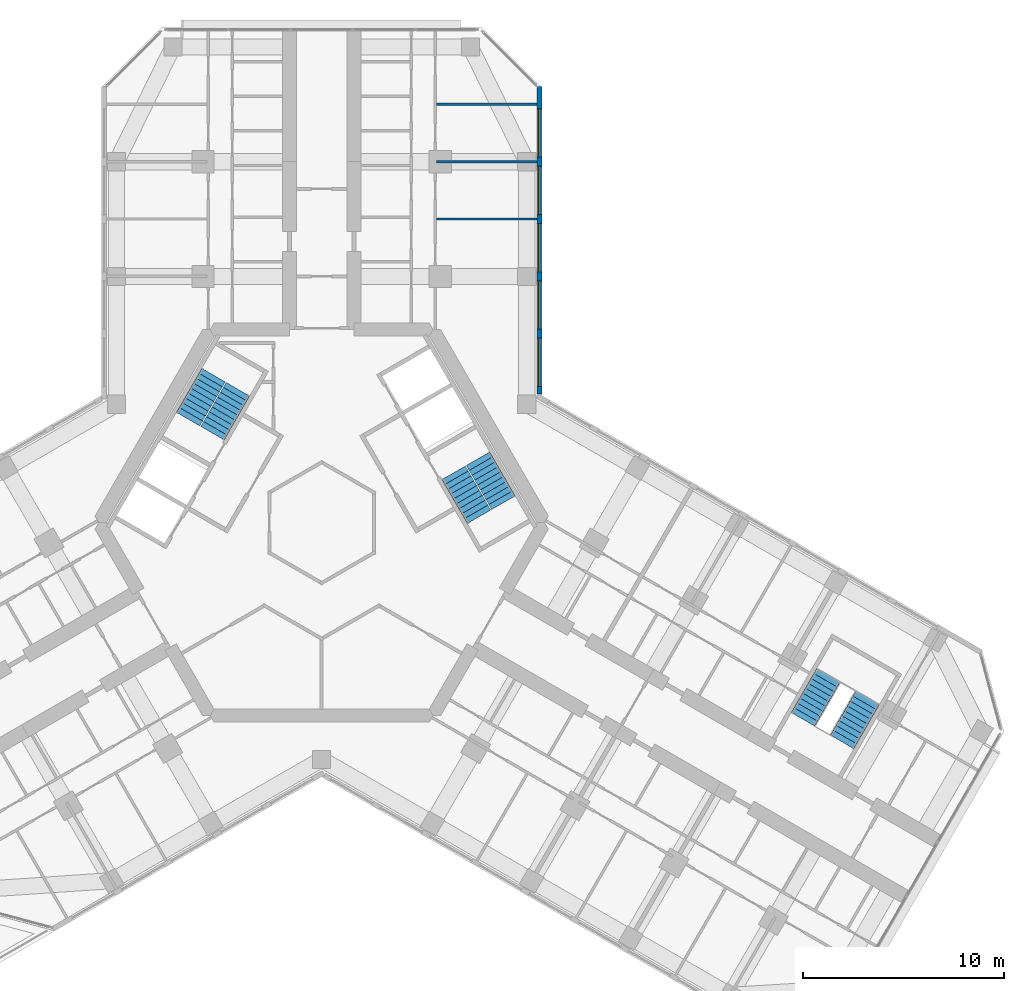
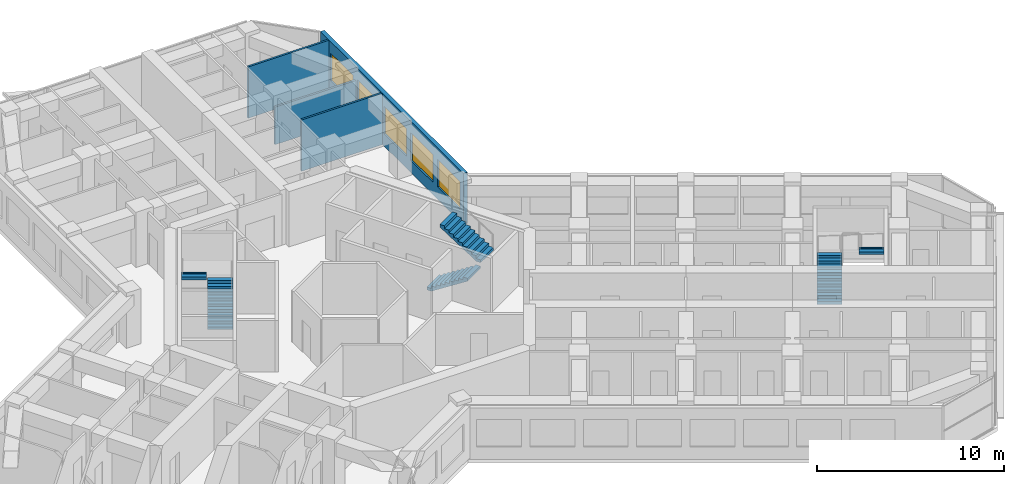
# One storey, part 16 of 17: 6 stair flights, 5 windows, 4 walls, 5 openings, 3 elements without a shape of their own.
"""IFC4 building model written with IfcOpenShell, lengths in metres."""

from ifc_helpers import new_model, si_unit, direction, frame, frame_2d, origin, place, context, subcontext, project, spatial, polyline, rectangle, outline, extrude, material, layer, layer_set, type_object, element, fill, aggregate, save


model = new_model("IFC4")

# Units and contexts
model_context = context("Model", 3, precision=1e-05, world=origin(), true_north=direction((0.0, 1.0)))
body_context = subcontext(model_context, "Body", "Model", "MODEL_VIEW")
ifc_project = project(units=[si_unit("LENGTHUNIT", "METRE"), si_unit("AREAUNIT", "SQUARE_METRE"), si_unit("VOLUMEUNIT", "CUBIC_METRE"), si_unit("PLANEANGLEUNIT", "RADIAN"), si_unit("MASSUNIT", "GRAM", prefix="KILO")], contexts=[model_context])

# Site, building, storey
site_placement = place(None, origin())
site = spatial("IfcSite", under=ifc_project, at=site_placement, CompositionType="ELEMENT")
building_placement = place(site_placement, origin())
building = spatial("IfcBuilding", under=site, at=building_placement, Name="Kosmar Iwan School Tower", CompositionType="ELEMENT")
storey_placement = place(building_placement, frame((0.0, 0.0, 193.800048828125)))
storey = spatial("IfcBuildingStorey", under=building, at=storey_placement, Name="L48", CompositionType="ELEMENT", Elevation=193.800048828125)

# Walls
ifc_material_1 = material(Name="Gypsum board on steel studs", Category="steel")
ifc_layer_1 = layer(ifc_material_1, 0.1201171875)
ifc_layer_set_1 = layer_set([ifc_layer_1], Name="Dwelling partition 120")
wall_type_1 = type_object("IfcWallType", Name="Dwelling partition 120", PredefinedType="PARTITIONING", material=ifc_layer_set_1)
wall_1_placement = place(storey_placement, frame((5.7099609375, 15.10009765625, 0.0), z_axis=(0.0, 0.0, 1.0), x_axis=(1.0, 0.0, 0.0)))
element("IfcWall", 1, at=wall_1_placement, inside=storey, type_object=wall_type_1, Name="Partition L48-AR1-X1", PredefinedType="PARTITIONING", context=body_context, shape_type="SweptSolid", body=[
    extrude(rectangle(XDim=4.989990234375, YDim=0.1201171875, at=frame_2d((2.4951171875, 0.0))), origin(), (0.0, 0.0, 1.0), 3.349853515625),
])
wall_2_placement = place(storey_placement, frame((5.7099609375, 17.949951171875, 0.0), z_axis=(0.0, 0.0, 1.0), x_axis=(1.0, 0.0, 0.0)))
element("IfcWall", 2, at=wall_2_placement, inside=storey, type_object=wall_type_1, Name="Partition L48-AR1-X2", PredefinedType="PARTITIONING", context=body_context, shape_type="SweptSolid", body=[
    extrude(rectangle(XDim=4.989990234375, YDim=0.1201171875, at=frame_2d((2.4951171875, 0.0))), origin(), (0.0, 0.0, 1.0), 2.449951171875),
])
wall_3_placement = place(storey_placement, frame((5.7099609375, 20.800048828125, 0.0), z_axis=(0.0, 0.0, 1.0), x_axis=(1.0, 0.0, 0.0)))
element("IfcWall", 3, at=wall_3_placement, inside=storey, type_object=wall_type_1, Name="Partition L48-AR1-X3", PredefinedType="PARTITIONING", context=body_context, shape_type="SweptSolid", body=[
    extrude(rectangle(XDim=4.989990234375, YDim=0.1201171875, at=frame_2d((2.4951171875, 0.0))), origin(), (0.0, 0.0, 1.0), 3.349853515625),
])

# Wall, openings, windows
ifc_material_2 = material(Name="Black aluminium rainscreen on insulated framing", Category="aluminium")
ifc_layer_2 = layer(ifc_material_2, 0.25)
ifc_layer_set_2 = layer_set([ifc_layer_2], Name="External wall rainscreen 250")
wall_type_2 = type_object("IfcWallType", Name="External wall rainscreen 250", PredefinedType="SOLIDWALL", material=ifc_layer_set_2)
wall_4_placement = place(storey_placement, frame((10.824951171875, 6.408935546875, 0.0), z_axis=(0.0, 0.0, 1.0), x_axis=(0.0, 1.0, 0.0)))
wall_4 = element("IfcWall", 4, at=wall_4_placement, inside=storey, type_object=wall_type_2, Name="External wall AR L48", PredefinedType="SOLIDWALL", context=body_context, shape_type="SweptSolid", body=[
    extrude(rectangle(XDim=15.2763671875, YDim=0.25, at=frame_2d((7.63818359375, 0.0))), origin(), (0.0, 0.0, 1.0), 3.349853515625),
])
opening_1_placement = place(wall_4_placement, frame((0.365966796875, 0.0, 0.800048828125)))
opening_1 = element("IfcOpeningElement", 5, at=opening_1_placement, cuts=wall_4, Name="Opening W5", PredefinedType="OPENING", context=body_context, shape_type="SweptSolid", body=[
    extrude(rectangle(XDim=2.39990234375, YDim=1.800048828125, at=frame_2d((1.199951171875, 0.89990234375))), frame((0.0, 0.136962890625, 0.0), z_axis=(0.0, -1.0, 0.0), x_axis=(1.0, 0.0, 0.0)), (0.0, 0.0, 1.0), 0.27392578125),
])
opening_2_placement = place(wall_4_placement, frame((3.216064453125, 0.0, 0.800048828125)))
opening_2 = element("IfcOpeningElement", 6, at=opening_2_placement, cuts=wall_4, Name="Opening W5", PredefinedType="OPENING", context=body_context, shape_type="SweptSolid", body=[
    extrude(rectangle(XDim=2.39990234375, YDim=1.800048828125, at=frame_2d((1.199951171875, 0.89990234375))), frame((0.0, 0.136962890625, 0.0), z_axis=(0.0, -1.0, 0.0), x_axis=(1.0, 0.0, 0.0)), (0.0, 0.0, 1.0), 0.27392578125),
])
opening_3_placement = place(wall_4_placement, frame((6.06591796875, 0.0, 0.800048828125)))
opening_3 = element("IfcOpeningElement", 7, at=opening_3_placement, cuts=wall_4, Name="Opening W5", PredefinedType="OPENING", context=body_context, shape_type="SweptSolid", body=[
    extrude(rectangle(XDim=2.39990234375, YDim=1.800048828125, at=frame_2d((1.199951171875, 0.89990234375))), frame((0.0, 0.136962890625, 0.0), z_axis=(0.0, -1.0, 0.0), x_axis=(1.0, 0.0, 0.0)), (0.0, 0.0, 1.0), 0.27392578125),
])
opening_4_placement = place(wall_4_placement, frame((8.916015625, 0.0, 0.800048828125)))
opening_4 = element("IfcOpeningElement", 8, at=opening_4_placement, cuts=wall_4, Name="Opening W5", PredefinedType="OPENING", context=body_context, shape_type="SweptSolid", body=[
    extrude(rectangle(XDim=2.39990234375, YDim=1.800048828125, at=frame_2d((1.199951171875, 0.89990234375))), frame((0.0, 0.136962890625, 0.0), z_axis=(0.0, -1.0, 0.0), x_axis=(1.0, 0.0, 0.0)), (0.0, 0.0, 1.0), 0.27392578125),
])
opening_5_placement = place(wall_4_placement, frame((11.76611328125, 0.0, 0.800048828125)))
opening_5 = element("IfcOpeningElement", 9, at=opening_5_placement, cuts=wall_4, Name="Opening W5", PredefinedType="OPENING", context=body_context, shape_type="SweptSolid", body=[
    extrude(rectangle(XDim=2.39990234375, YDim=1.800048828125, at=frame_2d((1.199951171875, 0.89990234375))), frame((0.0, 0.136962890625, 0.0), z_axis=(0.0, -1.0, 0.0), x_axis=(1.0, 0.0, 0.0)), (0.0, 0.0, 1.0), 0.27392578125),
])
ifc_material_3 = material(Name="Black aluminium frame with dark triple glazing", Category="aluminium")
window_type = type_object("IfcWindowType", Name="Window 2400x1800", PartitioningType="SINGLE_PANEL", PredefinedType="WINDOW", material=ifc_material_3)
window_1_placement = place(opening_1_placement, origin())
window_1 = element("IfcWindow", 10, at=window_1_placement, inside=storey, type_object=window_type, Name="Window AR L48 -1", OverallHeight=1.800048828125, OverallWidth=2.39990234375, PartitioningType="SINGLE_PANEL", PredefinedType="WINDOW", context=body_context, shape_type="SweptSolid", body=[
    extrude(rectangle(XDim=2.39990234375, YDim=1.800048828125, at=frame_2d((1.199951171875, 0.89990234375))), frame((0.0, 0.030029296875, 0.0), z_axis=(0.0, -1.0, 0.0), x_axis=(1.0, 0.0, 0.0)), (0.0, 0.0, 1.0), 0.06005859375),
])
fill(opening_1, window_1)
window_2_placement = place(opening_2_placement, origin())
window_2 = element("IfcWindow", 11, at=window_2_placement, inside=storey, type_object=window_type, Name="Window AR L48 0", OverallHeight=1.800048828125, OverallWidth=2.39990234375, PartitioningType="SINGLE_PANEL", PredefinedType="WINDOW", context=body_context, shape_type="SweptSolid", body=[
    extrude(rectangle(XDim=2.39990234375, YDim=1.800048828125, at=frame_2d((1.199951171875, 0.89990234375))), frame((0.0, 0.030029296875, 0.0), z_axis=(0.0, -1.0, 0.0), x_axis=(1.0, 0.0, 0.0)), (0.0, 0.0, 1.0), 0.06005859375),
])
fill(opening_2, window_2)
window_3_placement = place(opening_3_placement, origin())
window_3 = element("IfcWindow", 12, at=window_3_placement, inside=storey, type_object=window_type, Name="Window AR L48 1", OverallHeight=1.800048828125, OverallWidth=2.39990234375, PartitioningType="SINGLE_PANEL", PredefinedType="WINDOW", context=body_context, shape_type="SweptSolid", body=[
    extrude(rectangle(XDim=2.39990234375, YDim=1.800048828125, at=frame_2d((1.199951171875, 0.89990234375))), frame((0.0, 0.030029296875, 0.0), z_axis=(0.0, -1.0, 0.0), x_axis=(1.0, 0.0, 0.0)), (0.0, 0.0, 1.0), 0.06005859375),
])
fill(opening_3, window_3)
window_4_placement = place(opening_4_placement, origin())
window_4 = element("IfcWindow", 13, at=window_4_placement, inside=storey, type_object=window_type, Name="Window AR L48 2", OverallHeight=1.800048828125, OverallWidth=2.39990234375, PartitioningType="SINGLE_PANEL", PredefinedType="WINDOW", context=body_context, shape_type="SweptSolid", body=[
    extrude(rectangle(XDim=2.39990234375, YDim=1.800048828125, at=frame_2d((1.199951171875, 0.89990234375))), frame((0.0, 0.030029296875, 0.0), z_axis=(0.0, -1.0, 0.0), x_axis=(1.0, 0.0, 0.0)), (0.0, 0.0, 1.0), 0.06005859375),
])
fill(opening_4, window_4)
window_5_placement = place(opening_5_placement, origin())
window_5 = element("IfcWindow", 14, at=window_5_placement, inside=storey, type_object=window_type, Name="Window AR L48 3", OverallHeight=1.800048828125, OverallWidth=2.39990234375, PartitioningType="SINGLE_PANEL", PredefinedType="WINDOW", context=body_context, shape_type="SweptSolid", body=[
    extrude(rectangle(XDim=2.39990234375, YDim=1.800048828125, at=frame_2d((1.199951171875, 0.89990234375))), frame((0.0, 0.030029296875, 0.0), z_axis=(0.0, -1.0, 0.0), x_axis=(1.0, 0.0, 0.0)), (0.0, 0.0, 1.0), 0.06005859375),
])
fill(opening_5, window_5)

# Stair, stair flights
ifc_material_4 = material(Name="Concrete C35/45", Category="concrete")
stair_type_1 = type_object("IfcStairType", Name="Escape stair 3600", PredefinedType="HALF_TURN_STAIR", material=ifc_material_4)
stair_1_placement = place(storey_placement, origin())
stair_1 = element("IfcStair", 15, at=stair_1_placement, inside=storey, type_object=stair_type_1, Name="Stair WS3 L48", PredefinedType="HALF_TURN_STAIR")
ifc_material_5 = material(Name="Concrete C35/45", Category="concrete")
stair_flight_type_1 = type_object("IfcStairFlightType", Name="Escape stair flight 1350", PredefinedType="STRAIGHT", material=ifc_material_5)
stair_flight_1_placement = place(storey_placement, frame((23.94189453125, -9.781494140625, 0.0), z_axis=(0.0, 0.0, 1.0), x_axis=(0.5, 0.866025403784, 0.0)))
stair_flight_1 = element("IfcStairFlight", 16, at=stair_flight_1_placement, type_object=stair_flight_type_1, Name="WS3 flight 1", NumberOfRisers=10, NumberOfTreads=9, PredefinedType="STRAIGHT", RiserHeight=0.18, TreadLength=0.28, context=body_context, shape_type="SweptSolid", body=[
    extrude(outline(polyline([(0.0, 0.0), (0.0, 0.179931640625), (0.280029296875, 0.179931640625), (0.280029296875, 0.360107421875), (0.56005859375, 0.360107421875), (0.56005859375, 0.5400390625), (0.840087890625, 0.5400390625), (0.840087890625, 0.719970703125), (1.1201171875, 0.719970703125), (1.1201171875, 0.89990234375), (1.39990234375, 0.89990234375), (1.39990234375, 1.080078125), (1.679931640625, 1.080078125), (1.679931640625, 1.260009765625), (1.9599609375, 1.260009765625), (1.9599609375, 1.43994140625), (2.239990234375, 1.43994140625), (2.239990234375, 1.6201171875), (2.52001953125, 1.6201171875), (2.52001953125, 1.800048828125), (2.52001953125, 1.44189453125), (0.277099609375, 0.0), (0.0, 0.0)])), frame((0.0, 0.675048828125, 0.0), z_axis=(0.0, -1.0, 0.0), x_axis=(1.0, 0.0, 0.0)), (0.0, 0.0, 1.0), 1.35009765625),
])
stair_flight_2_placement = place(storey_placement, frame((27.150390625, -8.72412109375, 1.800048828125), z_axis=(0.0, 0.0, 1.0), x_axis=(-0.5, -0.866025403784, 0.0)))
stair_flight_2 = element("IfcStairFlight", 17, at=stair_flight_2_placement, type_object=stair_flight_type_1, Name="WS3 flight 2", NumberOfRisers=10, NumberOfTreads=9, PredefinedType="STRAIGHT", RiserHeight=0.18, TreadLength=0.28, context=body_context, shape_type="SweptSolid", body=[
    extrude(outline(polyline([(0.0, 0.0), (0.0, 0.179931640625), (0.280029296875, 0.179931640625), (0.280029296875, 0.360107421875), (0.56005859375, 0.360107421875), (0.56005859375, 0.5400390625), (0.840087890625, 0.5400390625), (0.840087890625, 0.719970703125), (1.1201171875, 0.719970703125), (1.1201171875, 0.89990234375), (1.39990234375, 0.89990234375), (1.39990234375, 1.080078125), (1.679931640625, 1.080078125), (1.679931640625, 1.260009765625), (1.9599609375, 1.260009765625), (1.9599609375, 1.43994140625), (2.239990234375, 1.43994140625), (2.239990234375, 1.6201171875), (2.52001953125, 1.6201171875), (2.52001953125, 1.800048828125), (2.52001953125, 1.44189453125), (0.277099609375, 0.0), (0.0, 0.0)])), frame((0.0, 0.675048828125, 0.0), z_axis=(0.0, -1.0, 0.0), x_axis=(1.0, 0.0, 0.0)), (0.0, 0.0, 1.0), 1.35009765625),
])
aggregate(stair_1, [stair_flight_1, stair_flight_2])

ifc_material_6 = material(Name="Concrete C35/45", Category="concrete")
stair_type_2 = type_object("IfcStairType", Name="Core stair 2750", PredefinedType="HALF_TURN_STAIR", material=ifc_material_6)
stair_2_placement = place(storey_placement, origin())
stair_2 = element("IfcStair", 18, at=stair_2_placement, inside=storey, type_object=stair_type_2, Name="Stair ST2 L48", PredefinedType="HALF_TURN_STAIR")
ifc_material_7 = material(Name="Concrete C35/45", Category="concrete")
stair_flight_type_2 = type_object("IfcStairFlightType", Name="Stair flight 1350", PredefinedType="STRAIGHT", material=ifc_material_7)
stair_flight_3_placement = place(storey_placement, frame((-5.42724609375, 4.44970703125, 0.0), z_axis=(0.0, 0.0, 1.0), x_axis=(0.5, 0.866025403784, 0.0)))
stair_flight_3 = element("IfcStairFlight", 19, at=stair_flight_3_placement, type_object=stair_flight_type_2, Name="ST2 flight 1", NumberOfRisers=10, NumberOfTreads=9, PredefinedType="STRAIGHT", RiserHeight=0.18, TreadLength=0.28, context=body_context, shape_type="SweptSolid", body=[
    extrude(outline(polyline([(0.0, 0.0), (0.0, 0.179931640625), (0.280029296875, 0.179931640625), (0.280029296875, 0.360107421875), (0.56005859375, 0.360107421875), (0.56005859375, 0.5400390625), (0.840087890625, 0.5400390625), (0.840087890625, 0.719970703125), (1.1201171875, 0.719970703125), (1.1201171875, 0.89990234375), (1.39990234375, 0.89990234375), (1.39990234375, 1.080078125), (1.679931640625, 1.080078125), (1.679931640625, 1.260009765625), (1.9599609375, 1.260009765625), (1.9599609375, 1.43994140625), (2.239990234375, 1.43994140625), (2.239990234375, 1.6201171875), (2.52001953125, 1.6201171875), (2.52001953125, 1.800048828125), (2.52001953125, 1.44189453125), (0.277099609375, 0.0), (0.0, 0.0)])), frame((0.0, 0.675048828125, 0.0), z_axis=(0.0, -1.0, 0.0), x_axis=(1.0, 0.0, 0.0)), (0.0, 0.0, 1.0), 1.35009765625),
])
stair_flight_4_placement = place(storey_placement, frame((-5.379638671875, 7.33203125, 1.800048828125), z_axis=(0.0, 0.0, 1.0), x_axis=(-0.5, -0.866025403784, 0.0)))
stair_flight_4 = element("IfcStairFlight", 20, at=stair_flight_4_placement, type_object=stair_flight_type_2, Name="ST2 flight 2", NumberOfRisers=10, NumberOfTreads=9, PredefinedType="STRAIGHT", RiserHeight=0.18, TreadLength=0.28, context=body_context, shape_type="SweptSolid", body=[
    extrude(outline(polyline([(0.0, 0.0), (0.0, 0.179931640625), (0.280029296875, 0.179931640625), (0.280029296875, 0.360107421875), (0.56005859375, 0.360107421875), (0.56005859375, 0.5400390625), (0.840087890625, 0.5400390625), (0.840087890625, 0.719970703125), (1.1201171875, 0.719970703125), (1.1201171875, 0.89990234375), (1.39990234375, 0.89990234375), (1.39990234375, 1.080078125), (1.679931640625, 1.080078125), (1.679931640625, 1.260009765625), (1.9599609375, 1.260009765625), (1.9599609375, 1.43994140625), (2.239990234375, 1.43994140625), (2.239990234375, 1.6201171875), (2.52001953125, 1.6201171875), (2.52001953125, 1.800048828125), (2.52001953125, 1.44189453125), (0.277099609375, 0.0), (0.0, 0.0)])), frame((0.0, 0.675048828125, 0.0), z_axis=(0.0, -1.0, 0.0), x_axis=(1.0, 0.0, 0.0)), (0.0, 0.0, 1.0), 1.35009765625),
])
aggregate(stair_2, [stair_flight_3, stair_flight_4])

stair_3_placement = place(storey_placement, origin())
stair_3 = element("IfcStair", 21, at=stair_3_placement, inside=storey, type_object=stair_type_2, Name="Stair ST1 L48", PredefinedType="HALF_TURN_STAIR")
stair_flight_5_placement = place(storey_placement, frame((6.567138671875, 2.475341796875, 0.0), z_axis=(0.0, 0.0, 1.0), x_axis=(0.5, -0.866025403784, 0.0)))
stair_flight_5 = element("IfcStairFlight", 22, at=stair_flight_5_placement, type_object=stair_flight_type_2, Name="ST1 flight 1", NumberOfRisers=10, NumberOfTreads=9, PredefinedType="STRAIGHT", RiserHeight=0.18, TreadLength=0.28, context=body_context, shape_type="SweptSolid", body=[
    extrude(outline(polyline([(0.0, 0.0), (0.0, 0.179931640625), (0.280029296875, 0.179931640625), (0.280029296875, 0.360107421875), (0.56005859375, 0.360107421875), (0.56005859375, 0.5400390625), (0.840087890625, 0.5400390625), (0.840087890625, 0.719970703125), (1.1201171875, 0.719970703125), (1.1201171875, 0.89990234375), (1.39990234375, 0.89990234375), (1.39990234375, 1.080078125), (1.679931640625, 1.080078125), (1.679931640625, 1.260009765625), (1.9599609375, 1.260009765625), (1.9599609375, 1.43994140625), (2.239990234375, 1.43994140625), (2.239990234375, 1.6201171875), (2.52001953125, 1.6201171875), (2.52001953125, 1.800048828125), (2.52001953125, 1.44189453125), (0.277099609375, 0.0), (0.0, 0.0)])), frame((0.0, 0.675048828125, 0.0), z_axis=(0.0, -1.0, 0.0), x_axis=(1.0, 0.0, 0.0)), (0.0, 0.0, 1.0), 1.35009765625),
])
stair_flight_6_placement = place(storey_placement, frame((9.03955078125, 0.992919921875, 1.800048828125), z_axis=(0.0, 0.0, 1.0), x_axis=(-0.5, 0.866025403784, 0.0)))
stair_flight_6 = element("IfcStairFlight", 23, at=stair_flight_6_placement, type_object=stair_flight_type_2, Name="ST1 flight 2", NumberOfRisers=10, NumberOfTreads=9, PredefinedType="STRAIGHT", RiserHeight=0.18, TreadLength=0.28, context=body_context, shape_type="SweptSolid", body=[
    extrude(outline(polyline([(0.0, 0.0), (0.0, 0.179931640625), (0.280029296875, 0.179931640625), (0.280029296875, 0.360107421875), (0.56005859375, 0.360107421875), (0.56005859375, 0.5400390625), (0.840087890625, 0.5400390625), (0.840087890625, 0.719970703125), (1.1201171875, 0.719970703125), (1.1201171875, 0.89990234375), (1.39990234375, 0.89990234375), (1.39990234375, 1.080078125), (1.679931640625, 1.080078125), (1.679931640625, 1.260009765625), (1.9599609375, 1.260009765625), (1.9599609375, 1.43994140625), (2.239990234375, 1.43994140625), (2.239990234375, 1.6201171875), (2.52001953125, 1.6201171875), (2.52001953125, 1.800048828125), (2.52001953125, 1.44189453125), (0.277099609375, 0.0), (0.0, 0.0)])), frame((0.0, 0.675048828125, 0.0), z_axis=(0.0, -1.0, 0.0), x_axis=(1.0, 0.0, 0.0)), (0.0, 0.0, 1.0), 1.35009765625),
])
aggregate(stair_3, [stair_flight_5, stair_flight_6])

save(model, "model.ifc")
